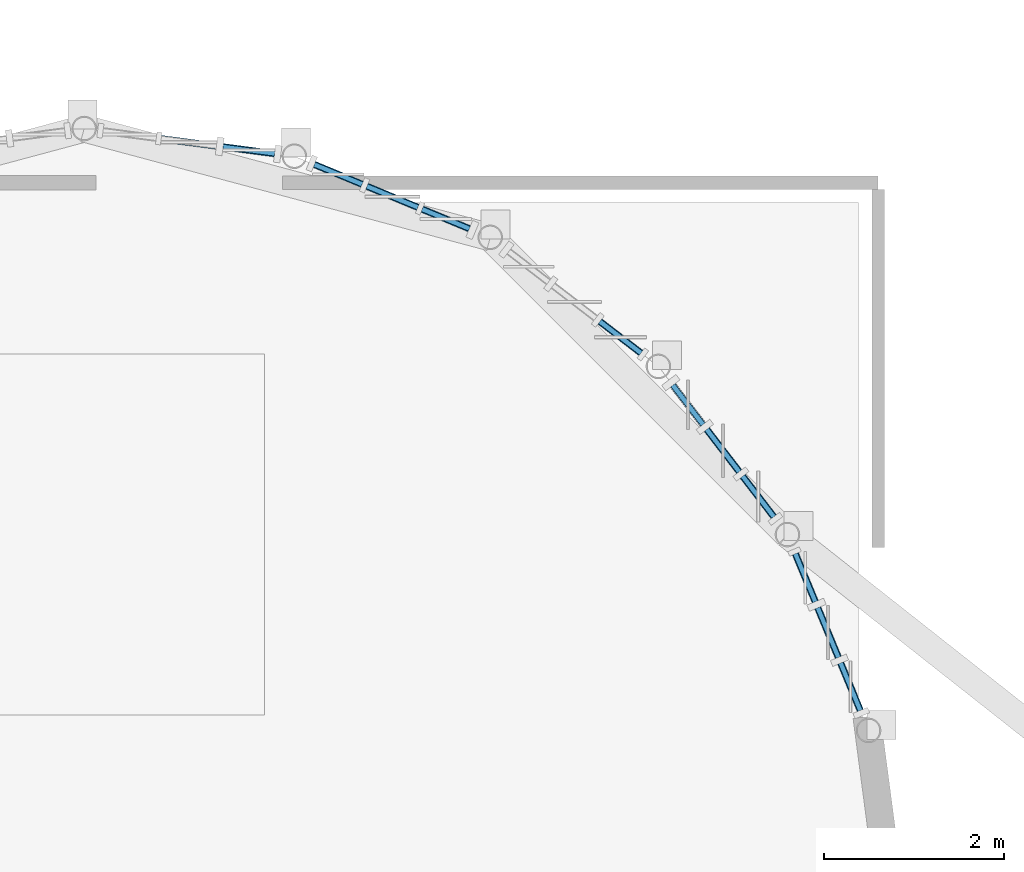
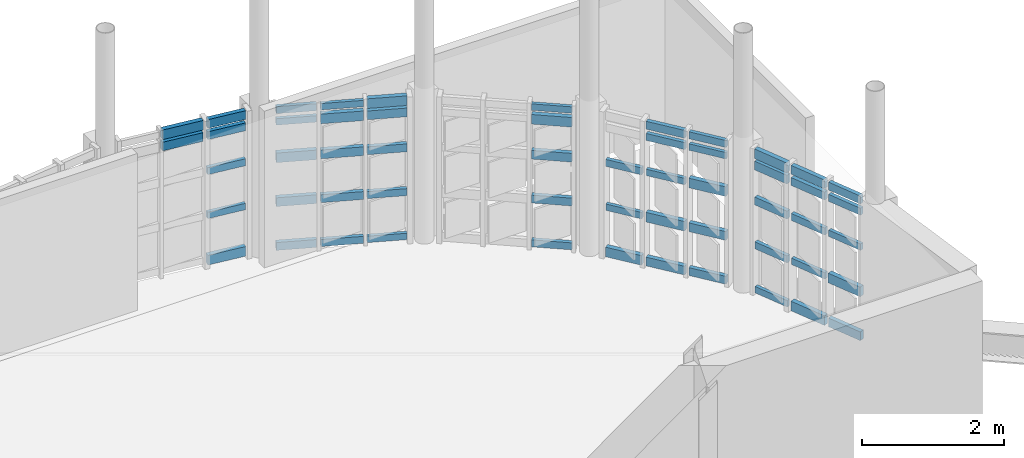
# One storey, part 25 of 44: 55 members, 5 elements without a shape of their own.
"""IFC4 building model written with IfcOpenShell, lengths in metres."""

from ifc_helpers import new_model, si_unit, direction, frame, origin, origin_2d, place, context, subcontext, project, spatial, rectangle, extrude, material, material_profile, profile_set, type_object, element, aggregate, save


model = new_model("IFC4")

# Units and contexts
model_context = context("Model", 3, precision=1e-05, world=origin(), true_north=direction((0.0, 1.0)))
body_context = subcontext(model_context, "Body", "Model", "MODEL_VIEW")
ifc_project = project(units=[si_unit("LENGTHUNIT", "METRE"), si_unit("AREAUNIT", "SQUARE_METRE"), si_unit("VOLUMEUNIT", "CUBIC_METRE"), si_unit("PLANEANGLEUNIT", "RADIAN"), si_unit("MASSUNIT", "GRAM", prefix="KILO")], contexts=[model_context])

# Site, building, storey
site_placement = place(None, origin())
site = spatial("IfcSite", under=ifc_project, at=site_placement, CompositionType="ELEMENT")
building_placement = place(site_placement, origin())
building = spatial("IfcBuilding", under=site, at=building_placement, Name="Serraforn Aerial Cableway Station", CompositionType="ELEMENT")
storey_placement = place(building_placement, frame((0.0, 0.0, 13.800048828125)))
storey = spatial("IfcBuildingStorey", under=building, at=storey_placement, Name="L03", CompositionType="ELEMENT", Elevation=13.800048828125)

# Curtain wall, member
ifc_material_1 = material(Name="Anodised bronze unitised curtain wall")
curtain_wall_type_1 = type_object("IfcCurtainWallType", Name="CW-SYS-26", PredefinedType="USERDEFINED", material=ifc_material_1)
curtain_wall_1_placement = place(storey_placement, origin())
curtain_wall_1 = element("IfcCurtainWall", 1, at=curtain_wall_1_placement, inside=storey, type_object=curtain_wall_type_1, Name="Unitised Curtain Wall CW-AP-L03-R7", ObjectType="UNITISED CURTAIN WALL", PredefinedType="USERDEFINED")
ifc_material_2 = material(Name="Anodised bronze extruded aluminium", Category="aluminium")
ifc_material_profile_1 = material_profile(ifc_material_2, rectangle(XDim=0.054931640625, YDim=0.110107421875, at=origin_2d()), Name="CW TRANSOM 55x110")
ifc_profile_set_1 = profile_set([ifc_material_profile_1], Name="Anodised bronze extruded aluminium")
member_type_1 = type_object("IfcMemberType", Name="CW-TRN-1", PredefinedType="USERDEFINED", material=ifc_profile_set_1)
member_1_placement = place(storey_placement, frame((61.212158203125, 50.721923828125, 0.866943359375), z_axis=(-0.991418374721, 0.130727220827, 0.0), x_axis=(-0.130727220827, -0.991418374721, 0.0)))
member_1 = element("IfcMember", 2, at=member_1_placement, type_object=member_type_1, Name="Curtain Wall Transom CW-AP-L03-R7-T1-2", ObjectType="TRANSOM", PredefinedType="USERDEFINED", context=body_context, shape_type="SweptSolid", body=[
    extrude(rectangle(XDim=0.054931640625, YDim=0.110107421875, at=origin_2d()), origin(), (0.0, 0.0, 1.0), 0.578857421875),
])

# Curtain wall, members
curtain_wall_type_2 = type_object("IfcCurtainWallType", Name="CW-SYS-27", PredefinedType="USERDEFINED", material=ifc_material_1)
curtain_wall_2_placement = place(storey_placement, origin())
curtain_wall_2 = element("IfcCurtainWall", 3, at=curtain_wall_2_placement, inside=storey, type_object=curtain_wall_type_2, Name="Unitised Curtain Wall CW-AP-L03-R8", ObjectType="UNITISED CURTAIN WALL", PredefinedType="USERDEFINED")
member_2_placement = place(storey_placement, frame((63.36962890625, 49.8896484375, 0.10205078125), z_axis=(-0.923864661962, 0.382719331074, 0.0), x_axis=(-0.382719331074, -0.923864661962, 0.0)))
member_2 = element("IfcMember", 4, at=member_2_placement, type_object=member_type_1, Name="Curtain Wall Transom CW-AP-L03-R8-T1-1", ObjectType="TRANSOM", PredefinedType="USERDEFINED", context=body_context, shape_type="SweptSolid", body=[
    extrude(rectangle(XDim=0.054931640625, YDim=0.110107421875, at=origin_2d()), origin(), (0.0, 0.0, 1.0), 0.567138671875),
])
member_3_placement = place(storey_placement, frame((62.798583984375, 50.126220703125, 2.447998046875), z_axis=(-0.923924464059, 0.382574939997, 0.0), x_axis=(-0.382574939997, -0.923924464059, 0.0)))
member_3 = element("IfcMember", 5, at=member_3_placement, type_object=member_type_1, Name="Curtain Wall Transom CW-AP-L03-R8-T2-5", ObjectType="TRANSOM", PredefinedType="USERDEFINED", context=body_context, shape_type="SweptSolid", body=[
    extrude(rectangle(XDim=0.054931640625, YDim=0.110107421875, at=origin_2d()), origin(), (0.0, 0.0, 1.0), 0.612060546875),
])
member_4_placement = place(storey_placement, frame((62.181396484375, 50.3818359375, 2.243896484375), z_axis=(-0.923866691533, 0.382714431757, 0.0), x_axis=(-0.382714431757, -0.923866691533, 0.0)))
member_4 = element("IfcMember", 6, at=member_4_placement, type_object=member_type_1, Name="Curtain Wall Transom CW-AP-L03-R8-T3-4", ObjectType="TRANSOM", PredefinedType="USERDEFINED", context=body_context, shape_type="SweptSolid", body=[
    extrude(rectangle(XDim=0.054931640625, YDim=0.110107421875, at=origin_2d()), origin(), (0.0, 0.0, 1.0), 0.57470703125),
])

# Curtain wall, member
curtain_wall_type_3 = type_object("IfcCurtainWallType", Name="CW-SYS-28", PredefinedType="USERDEFINED", material=ifc_material_1)
curtain_wall_3_placement = place(storey_placement, origin())
curtain_wall_3 = element("IfcCurtainWall", 7, at=curtain_wall_3_placement, inside=storey, type_object=curtain_wall_type_3, Name="Unitised Curtain Wall CW-AP-L03-R9", ObjectType="UNITISED CURTAIN WALL", PredefinedType="USERDEFINED")
member_5_placement = place(storey_placement, frame((65.271728515625, 48.51171875, 2.447998046875), z_axis=(-0.793647301448, 0.608378139732, 0.0), x_axis=(-0.608378139732, -0.793647301448, 0.0)))
member_5 = element("IfcMember", 8, at=member_5_placement, type_object=member_type_1, Name="Curtain Wall Transom CW-AP-L03-R9-T1-5", ObjectType="TRANSOM", PredefinedType="USERDEFINED", context=body_context, shape_type="SweptSolid", body=[
    extrude(rectangle(XDim=0.054931640625, YDim=0.110107421875, at=origin_2d()), origin(), (0.0, 0.0, 1.0), 0.575927734375),
])

# Curtain wall, members
curtain_wall_type_4 = type_object("IfcCurtainWallType", Name="CW-SYS-1", PredefinedType="USERDEFINED", material=ifc_material_1)
curtain_wall_4_placement = place(storey_placement, origin())
curtain_wall_4 = element("IfcCurtainWall", 9, at=curtain_wall_4_placement, inside=storey, type_object=curtain_wall_type_4, Name="Unitised Curtain Wall CW-AP-L03-R10", ObjectType="UNITISED CURTAIN WALL", PredefinedType="USERDEFINED")
member_6_placement = place(storey_placement, frame((66.74365234375, 46.6962890625, 2.243896484375), z_axis=(-0.608693037003, 0.79340581464, 0.0), x_axis=(-0.79340581464, -0.608693037003, 0.0)))
member_6 = element("IfcMember", 10, at=member_6_placement, type_object=member_type_1, Name="Curtain Wall Transom CW-AP-L03-R10-T1-4", ObjectType="TRANSOM", PredefinedType="USERDEFINED", context=body_context, shape_type="SweptSolid", body=[
    extrude(rectangle(XDim=0.054931640625, YDim=0.110107421875, at=origin_2d()), origin(), (0.0, 0.0, 1.0), 0.568359375),
])
member_7_placement = place(storey_placement, frame((66.360595703125, 47.195556640625, 1.6318359375), z_axis=(-0.60871644632, 0.793387854696, 0.0), x_axis=(-0.793387854696, -0.60871644632, 0.0)))
member_7 = element("IfcMember", 11, at=member_7_placement, type_object=member_type_1, Name="Curtain Wall Transom CW-AP-L03-R10-T2-3", ObjectType="TRANSOM", PredefinedType="USERDEFINED", context=body_context, shape_type="SweptSolid", body=[
    extrude(rectangle(XDim=0.054931640625, YDim=0.110107421875, at=origin_2d()), origin(), (0.0, 0.0, 1.0), 0.593505859375),
])
member_8_placement = place(storey_placement, frame((65.958984375, 47.71875, 0.866943359375), z_axis=(-0.608617646917, 0.793463647473, 0.0), x_axis=(-0.793463647473, -0.608617646917, 0.0)))
member_8 = element("IfcMember", 12, at=member_8_placement, type_object=member_type_1, Name="Curtain Wall Transom CW-AP-L03-R10-T3-2", ObjectType="TRANSOM", PredefinedType="USERDEFINED", context=body_context, shape_type="SweptSolid", body=[
    extrude(rectangle(XDim=0.054931640625, YDim=0.110107421875, at=origin_2d()), origin(), (0.0, 0.0, 1.0), 0.55078125),
])

curtain_wall_type_5 = type_object("IfcCurtainWallType", Name="CW-SYS-2", PredefinedType="USERDEFINED", material=ifc_material_1)
curtain_wall_5_placement = place(storey_placement, origin())
curtain_wall_5 = element("IfcCurtainWall", 13, at=curtain_wall_5_placement, inside=storey, type_object=curtain_wall_type_5, Name="Unitised Curtain Wall CW-AP-L03-R11", ObjectType="UNITISED CURTAIN WALL", PredefinedType="USERDEFINED")
member_9_placement = place(storey_placement, frame((67.70166015625, 44.550537109375, 1.6318359375), z_axis=(-0.38281873135, 0.923823478229, 0.0), x_axis=(-0.923823478229, -0.38281873135, 0.0)))
member_9 = element("IfcMember", 14, at=member_9_placement, type_object=member_type_1, Name="Curtain Wall Transom CW-AP-L03-R11-T1-3", ObjectType="TRANSOM", PredefinedType="USERDEFINED", context=body_context, shape_type="SweptSolid", body=[
    extrude(rectangle(XDim=0.054931640625, YDim=0.110107421875, at=origin_2d()), origin(), (0.0, 0.0, 1.0), 0.569580078125),
])
member_10_placement = place(storey_placement, frame((67.45849609375, 45.1376953125, 0.866943359375), z_axis=(-0.382640634603, 0.923897258763, 0.0), x_axis=(-0.923897258763, -0.382640634603, 0.0)))
member_10 = element("IfcMember", 15, at=member_10_placement, type_object=member_type_1, Name="Curtain Wall Transom CW-AP-L03-R11-T2-2", ObjectType="TRANSOM", PredefinedType="USERDEFINED", context=body_context, shape_type="SweptSolid", body=[
    extrude(rectangle(XDim=0.054931640625, YDim=0.110107421875, at=origin_2d()), origin(), (0.0, 0.0, 1.0), 0.59716796875),
])
member_11_placement = place(storey_placement, frame((67.202880859375, 45.7548828125, 0.10205078125), z_axis=(-0.382812533078, 0.923826046677, 0.0), x_axis=(-0.923826046677, -0.382812533078, 0.0)))
member_11 = element("IfcMember", 16, at=member_11_placement, type_object=member_type_1, Name="Curtain Wall Transom CW-AP-L03-R11-T3-1", ObjectType="TRANSOM", PredefinedType="USERDEFINED", context=body_context, shape_type="SweptSolid", body=[
    extrude(rectangle(XDim=0.054931640625, YDim=0.110107421875, at=origin_2d()), origin(), (0.0, 0.0, 1.0), 0.5771484375),
])

# Member
ifc_material_profile_2 = material_profile(ifc_material_2, rectangle(XDim=0.06005859375, YDim=0.1201171875, at=origin_2d()), Name="CW TRANSOM 60x120")
ifc_profile_set_2 = profile_set([ifc_material_profile_2], Name="Anodised bronze extruded aluminium")
member_type_2 = type_object("IfcMemberType", Name="CW-TRN-2", PredefinedType="USERDEFINED", material=ifc_profile_set_2)
member_12_placement = place(storey_placement, frame((61.212158203125, 50.721923828125, 1.6318359375), z_axis=(-0.991418374721, 0.130727220827, 0.0), x_axis=(-0.130727220827, -0.991418374721, 0.0)))
member_12 = element("IfcMember", 17, at=member_12_placement, type_object=member_type_2, Name="Curtain Wall Transom CW-AP-L03-R7-T1-3", ObjectType="TRANSOM", PredefinedType="USERDEFINED", context=body_context, shape_type="SweptSolid", body=[
    extrude(rectangle(XDim=0.06005859375, YDim=0.1201171875, at=origin_2d()), origin(), (0.0, 0.0, 1.0), 0.578857421875),
])

member_13_placement = place(storey_placement, frame((63.36962890625, 49.8896484375, 0.866943359375), z_axis=(-0.923864661962, 0.382719331074, 0.0), x_axis=(-0.382719331074, -0.923864661962, 0.0)))
member_13 = element("IfcMember", 18, at=member_13_placement, type_object=member_type_2, Name="Curtain Wall Transom CW-AP-L03-R8-T1-2", ObjectType="TRANSOM", PredefinedType="USERDEFINED", context=body_context, shape_type="SweptSolid", body=[
    extrude(rectangle(XDim=0.06005859375, YDim=0.1201171875, at=origin_2d()), origin(), (0.0, 0.0, 1.0), 0.567138671875),
])

member_14_placement = place(storey_placement, frame((62.798583984375, 50.126220703125, 0.10205078125), z_axis=(-0.923924464059, 0.382574939997, 0.0), x_axis=(-0.382574939997, -0.923924464059, 0.0)))
member_14 = element("IfcMember", 19, at=member_14_placement, type_object=member_type_2, Name="Curtain Wall Transom CW-AP-L03-R8-T2-1", ObjectType="TRANSOM", PredefinedType="USERDEFINED", context=body_context, shape_type="SweptSolid", body=[
    extrude(rectangle(XDim=0.06005859375, YDim=0.1201171875, at=origin_2d()), origin(), (0.0, 0.0, 1.0), 0.612060546875),
])

member_15_placement = place(storey_placement, frame((62.181396484375, 50.3818359375, 2.447998046875), z_axis=(-0.923866691533, 0.382714431757, 0.0), x_axis=(-0.382714431757, -0.923866691533, 0.0)))
member_15 = element("IfcMember", 20, at=member_15_placement, type_object=member_type_2, Name="Curtain Wall Transom CW-AP-L03-R8-T3-5", ObjectType="TRANSOM", PredefinedType="USERDEFINED", context=body_context, shape_type="SweptSolid", body=[
    extrude(rectangle(XDim=0.06005859375, YDim=0.1201171875, at=origin_2d()), origin(), (0.0, 0.0, 1.0), 0.57470703125),
])

member_16_placement = place(storey_placement, frame((65.271728515625, 48.51171875, 0.10205078125), z_axis=(-0.793647301448, 0.608378139732, 0.0), x_axis=(-0.608378139732, -0.793647301448, 0.0)))
member_16 = element("IfcMember", 21, at=member_16_placement, type_object=member_type_2, Name="Curtain Wall Transom CW-AP-L03-R9-T1-1", ObjectType="TRANSOM", PredefinedType="USERDEFINED", context=body_context, shape_type="SweptSolid", body=[
    extrude(rectangle(XDim=0.06005859375, YDim=0.1201171875, at=origin_2d()), origin(), (0.0, 0.0, 1.0), 0.575927734375),
])

member_17_placement = place(storey_placement, frame((66.74365234375, 46.6962890625, 2.447998046875), z_axis=(-0.608693037003, 0.79340581464, 0.0), x_axis=(-0.79340581464, -0.608693037003, 0.0)))
member_17 = element("IfcMember", 22, at=member_17_placement, type_object=member_type_2, Name="Curtain Wall Transom CW-AP-L03-R10-T1-5", ObjectType="TRANSOM", PredefinedType="USERDEFINED", context=body_context, shape_type="SweptSolid", body=[
    extrude(rectangle(XDim=0.06005859375, YDim=0.1201171875, at=origin_2d()), origin(), (0.0, 0.0, 1.0), 0.568359375),
])

member_18_placement = place(storey_placement, frame((66.360595703125, 47.195556640625, 2.243896484375), z_axis=(-0.60871644632, 0.793387854696, 0.0), x_axis=(-0.793387854696, -0.60871644632, 0.0)))
member_18 = element("IfcMember", 23, at=member_18_placement, type_object=member_type_2, Name="Curtain Wall Transom CW-AP-L03-R10-T2-4", ObjectType="TRANSOM", PredefinedType="USERDEFINED", context=body_context, shape_type="SweptSolid", body=[
    extrude(rectangle(XDim=0.06005859375, YDim=0.1201171875, at=origin_2d()), origin(), (0.0, 0.0, 1.0), 0.593505859375),
])

member_19_placement = place(storey_placement, frame((65.958984375, 47.71875, 1.6318359375), z_axis=(-0.608617646917, 0.793463647473, 0.0), x_axis=(-0.793463647473, -0.608617646917, 0.0)))
member_19 = element("IfcMember", 24, at=member_19_placement, type_object=member_type_2, Name="Curtain Wall Transom CW-AP-L03-R10-T3-3", ObjectType="TRANSOM", PredefinedType="USERDEFINED", context=body_context, shape_type="SweptSolid", body=[
    extrude(rectangle(XDim=0.06005859375, YDim=0.1201171875, at=origin_2d()), origin(), (0.0, 0.0, 1.0), 0.55078125),
])

member_20_placement = place(storey_placement, frame((67.70166015625, 44.550537109375, 2.243896484375), z_axis=(-0.38281873135, 0.923823478229, 0.0), x_axis=(-0.923823478229, -0.38281873135, 0.0)))
member_20 = element("IfcMember", 25, at=member_20_placement, type_object=member_type_2, Name="Curtain Wall Transom CW-AP-L03-R11-T1-4", ObjectType="TRANSOM", PredefinedType="USERDEFINED", context=body_context, shape_type="SweptSolid", body=[
    extrude(rectangle(XDim=0.06005859375, YDim=0.1201171875, at=origin_2d()), origin(), (0.0, 0.0, 1.0), 0.569580078125),
])

member_21_placement = place(storey_placement, frame((67.45849609375, 45.1376953125, 1.6318359375), z_axis=(-0.382640634603, 0.923897258763, 0.0), x_axis=(-0.923897258763, -0.382640634603, 0.0)))
member_21 = element("IfcMember", 26, at=member_21_placement, type_object=member_type_2, Name="Curtain Wall Transom CW-AP-L03-R11-T2-3", ObjectType="TRANSOM", PredefinedType="USERDEFINED", context=body_context, shape_type="SweptSolid", body=[
    extrude(rectangle(XDim=0.06005859375, YDim=0.1201171875, at=origin_2d()), origin(), (0.0, 0.0, 1.0), 0.59716796875),
])

member_22_placement = place(storey_placement, frame((67.202880859375, 45.7548828125, 0.866943359375), z_axis=(-0.382812533078, 0.923826046677, 0.0), x_axis=(-0.923826046677, -0.382812533078, 0.0)))
member_22 = element("IfcMember", 27, at=member_22_placement, type_object=member_type_2, Name="Curtain Wall Transom CW-AP-L03-R11-T3-2", ObjectType="TRANSOM", PredefinedType="USERDEFINED", context=body_context, shape_type="SweptSolid", body=[
    extrude(rectangle(XDim=0.06005859375, YDim=0.1201171875, at=origin_2d()), origin(), (0.0, 0.0, 1.0), 0.5771484375),
])

ifc_material_profile_3 = material_profile(ifc_material_2, rectangle(XDim=0.06494140625, YDim=0.135009765625, at=origin_2d()), Name="CW TRANSOM 65x135")
ifc_profile_set_3 = profile_set([ifc_material_profile_3], Name="Anodised bronze extruded aluminium")
member_type_3 = type_object("IfcMemberType", Name="CW-TRN-3", PredefinedType="USERDEFINED", material=ifc_profile_set_3)
member_23_placement = place(storey_placement, frame((61.212158203125, 50.721923828125, 2.243896484375), z_axis=(-0.991418374721, 0.130727220827, 0.0), x_axis=(-0.130727220827, -0.991418374721, 0.0)))
member_23 = element("IfcMember", 28, at=member_23_placement, type_object=member_type_3, Name="Curtain Wall Transom CW-AP-L03-R7-T1-4", ObjectType="TRANSOM", PredefinedType="USERDEFINED", context=body_context, shape_type="SweptSolid", body=[
    extrude(rectangle(XDim=0.06494140625, YDim=0.135009765625, at=origin_2d()), origin(), (0.0, 0.0, 1.0), 0.578857421875),
])

member_24_placement = place(storey_placement, frame((63.36962890625, 49.8896484375, 1.6318359375), z_axis=(-0.923864661962, 0.382719331074, 0.0), x_axis=(-0.382719331074, -0.923864661962, 0.0)))
member_24 = element("IfcMember", 29, at=member_24_placement, type_object=member_type_3, Name="Curtain Wall Transom CW-AP-L03-R8-T1-3", ObjectType="TRANSOM", PredefinedType="USERDEFINED", context=body_context, shape_type="SweptSolid", body=[
    extrude(rectangle(XDim=0.06494140625, YDim=0.135009765625, at=origin_2d()), origin(), (0.0, 0.0, 1.0), 0.567138671875),
])

member_25_placement = place(storey_placement, frame((62.798583984375, 50.126220703125, 0.866943359375), z_axis=(-0.923924464059, 0.382574939997, 0.0), x_axis=(-0.382574939997, -0.923924464059, 0.0)))
member_25 = element("IfcMember", 30, at=member_25_placement, type_object=member_type_3, Name="Curtain Wall Transom CW-AP-L03-R8-T2-2", ObjectType="TRANSOM", PredefinedType="USERDEFINED", context=body_context, shape_type="SweptSolid", body=[
    extrude(rectangle(XDim=0.06494140625, YDim=0.135009765625, at=origin_2d()), origin(), (0.0, 0.0, 1.0), 0.612060546875),
])

member_26_placement = place(storey_placement, frame((62.181396484375, 50.3818359375, 0.10205078125), z_axis=(-0.923866691533, 0.382714431757, 0.0), x_axis=(-0.382714431757, -0.923866691533, 0.0)))
member_26 = element("IfcMember", 31, at=member_26_placement, type_object=member_type_3, Name="Curtain Wall Transom CW-AP-L03-R8-T3-1", ObjectType="TRANSOM", PredefinedType="USERDEFINED", context=body_context, shape_type="SweptSolid", body=[
    extrude(rectangle(XDim=0.06494140625, YDim=0.135009765625, at=origin_2d()), origin(), (0.0, 0.0, 1.0), 0.57470703125),
])

member_27_placement = place(storey_placement, frame((65.271728515625, 48.51171875, 0.866943359375), z_axis=(-0.793647301448, 0.608378139732, 0.0), x_axis=(-0.608378139732, -0.793647301448, 0.0)))
member_27 = element("IfcMember", 32, at=member_27_placement, type_object=member_type_3, Name="Curtain Wall Transom CW-AP-L03-R9-T1-2", ObjectType="TRANSOM", PredefinedType="USERDEFINED", context=body_context, shape_type="SweptSolid", body=[
    extrude(rectangle(XDim=0.06494140625, YDim=0.135009765625, at=origin_2d()), origin(), (0.0, 0.0, 1.0), 0.575927734375),
])

member_28_placement = place(storey_placement, frame((66.74365234375, 46.6962890625, 0.10205078125), z_axis=(-0.608693037003, 0.79340581464, 0.0), x_axis=(-0.79340581464, -0.608693037003, 0.0)))
member_28 = element("IfcMember", 33, at=member_28_placement, type_object=member_type_3, Name="Curtain Wall Transom CW-AP-L03-R10-T1-1", ObjectType="TRANSOM", PredefinedType="USERDEFINED", context=body_context, shape_type="SweptSolid", body=[
    extrude(rectangle(XDim=0.06494140625, YDim=0.135009765625, at=origin_2d()), origin(), (0.0, 0.0, 1.0), 0.568359375),
])

member_29_placement = place(storey_placement, frame((66.360595703125, 47.195556640625, 2.447998046875), z_axis=(-0.60871644632, 0.793387854696, 0.0), x_axis=(-0.793387854696, -0.60871644632, 0.0)))
member_29 = element("IfcMember", 34, at=member_29_placement, type_object=member_type_3, Name="Curtain Wall Transom CW-AP-L03-R10-T2-5", ObjectType="TRANSOM", PredefinedType="USERDEFINED", context=body_context, shape_type="SweptSolid", body=[
    extrude(rectangle(XDim=0.06494140625, YDim=0.135009765625, at=origin_2d()), origin(), (0.0, 0.0, 1.0), 0.593505859375),
])

member_30_placement = place(storey_placement, frame((67.70166015625, 44.550537109375, 2.447998046875), z_axis=(-0.38281873135, 0.923823478229, 0.0), x_axis=(-0.923823478229, -0.38281873135, 0.0)))
member_30 = element("IfcMember", 35, at=member_30_placement, type_object=member_type_3, Name="Curtain Wall Transom CW-AP-L03-R11-T1-5", ObjectType="TRANSOM", PredefinedType="USERDEFINED", context=body_context, shape_type="SweptSolid", body=[
    extrude(rectangle(XDim=0.06494140625, YDim=0.135009765625, at=origin_2d()), origin(), (0.0, 0.0, 1.0), 0.569580078125),
])

member_31_placement = place(storey_placement, frame((67.45849609375, 45.1376953125, 2.243896484375), z_axis=(-0.382640634603, 0.923897258763, 0.0), x_axis=(-0.923897258763, -0.382640634603, 0.0)))
member_31 = element("IfcMember", 36, at=member_31_placement, type_object=member_type_3, Name="Curtain Wall Transom CW-AP-L03-R11-T2-4", ObjectType="TRANSOM", PredefinedType="USERDEFINED", context=body_context, shape_type="SweptSolid", body=[
    extrude(rectangle(XDim=0.06494140625, YDim=0.135009765625, at=origin_2d()), origin(), (0.0, 0.0, 1.0), 0.59716796875),
])

member_32_placement = place(storey_placement, frame((67.202880859375, 45.7548828125, 1.6318359375), z_axis=(-0.382812533078, 0.923826046677, 0.0), x_axis=(-0.923826046677, -0.382812533078, 0.0)))
member_32 = element("IfcMember", 37, at=member_32_placement, type_object=member_type_3, Name="Curtain Wall Transom CW-AP-L03-R11-T3-3", ObjectType="TRANSOM", PredefinedType="USERDEFINED", context=body_context, shape_type="SweptSolid", body=[
    extrude(rectangle(XDim=0.06494140625, YDim=0.135009765625, at=origin_2d()), origin(), (0.0, 0.0, 1.0), 0.5771484375),
])

ifc_material_profile_4 = material_profile(ifc_material_2, rectangle(XDim=0.070068359375, YDim=0.14990234375, at=origin_2d()), Name="CW TRANSOM 70x150")
ifc_profile_set_4 = profile_set([ifc_material_profile_4], Name="Anodised bronze extruded aluminium")
member_type_4 = type_object("IfcMemberType", Name="CW-TRN-4", PredefinedType="USERDEFINED", material=ifc_profile_set_4)
member_33_placement = place(storey_placement, frame((61.212158203125, 50.721923828125, 2.447998046875), z_axis=(-0.991418374721, 0.130727220827, 0.0), x_axis=(-0.130727220827, -0.991418374721, 0.0)))
member_33 = element("IfcMember", 38, at=member_33_placement, type_object=member_type_4, Name="Curtain Wall Transom CW-AP-L03-R7-T1-5", ObjectType="TRANSOM", PredefinedType="USERDEFINED", context=body_context, shape_type="SweptSolid", body=[
    extrude(rectangle(XDim=0.070068359375, YDim=0.14990234375, at=origin_2d()), origin(), (0.0, 0.0, 1.0), 0.578857421875),
])

member_34_placement = place(storey_placement, frame((60.56787109375, 50.806640625, 2.243896484375), z_axis=(-0.991408779426, 0.13079996971, 0.0), x_axis=(-0.13079996971, -0.991408779426, 0.0)))
member_34 = element("IfcMember", 39, at=member_34_placement, type_object=member_type_4, Name="Curtain Wall Transom CW-AP-L03-R7-T2-4", ObjectType="TRANSOM", PredefinedType="USERDEFINED", context=body_context, shape_type="SweptSolid", body=[
    extrude(rectangle(XDim=0.070068359375, YDim=0.14990234375, at=origin_2d()), origin(), (0.0, 0.0, 1.0), 0.62158203125),
])

member_35_placement = place(storey_placement, frame((63.36962890625, 49.8896484375, 2.243896484375), z_axis=(-0.923864661962, 0.382719331074, 0.0), x_axis=(-0.382719331074, -0.923864661962, 0.0)))
member_35 = element("IfcMember", 40, at=member_35_placement, type_object=member_type_4, Name="Curtain Wall Transom CW-AP-L03-R8-T1-4", ObjectType="TRANSOM", PredefinedType="USERDEFINED", context=body_context, shape_type="SweptSolid", body=[
    extrude(rectangle(XDim=0.070068359375, YDim=0.14990234375, at=origin_2d()), origin(), (0.0, 0.0, 1.0), 0.567138671875),
])

member_36_placement = place(storey_placement, frame((62.798583984375, 50.126220703125, 1.6318359375), z_axis=(-0.923924464059, 0.382574939997, 0.0), x_axis=(-0.382574939997, -0.923924464059, 0.0)))
member_36 = element("IfcMember", 41, at=member_36_placement, type_object=member_type_4, Name="Curtain Wall Transom CW-AP-L03-R8-T2-3", ObjectType="TRANSOM", PredefinedType="USERDEFINED", context=body_context, shape_type="SweptSolid", body=[
    extrude(rectangle(XDim=0.070068359375, YDim=0.14990234375, at=origin_2d()), origin(), (0.0, 0.0, 1.0), 0.612060546875),
])

member_37_placement = place(storey_placement, frame((62.181396484375, 50.3818359375, 0.866943359375), z_axis=(-0.923866691533, 0.382714431757, 0.0), x_axis=(-0.382714431757, -0.923866691533, 0.0)))
member_37 = element("IfcMember", 42, at=member_37_placement, type_object=member_type_4, Name="Curtain Wall Transom CW-AP-L03-R8-T3-2", ObjectType="TRANSOM", PredefinedType="USERDEFINED", context=body_context, shape_type="SweptSolid", body=[
    extrude(rectangle(XDim=0.070068359375, YDim=0.14990234375, at=origin_2d()), origin(), (0.0, 0.0, 1.0), 0.57470703125),
])

member_38_placement = place(storey_placement, frame((65.271728515625, 48.51171875, 1.6318359375), z_axis=(-0.793647301448, 0.608378139732, 0.0), x_axis=(-0.608378139732, -0.793647301448, 0.0)))
member_38 = element("IfcMember", 43, at=member_38_placement, type_object=member_type_4, Name="Curtain Wall Transom CW-AP-L03-R9-T1-3", ObjectType="TRANSOM", PredefinedType="USERDEFINED", context=body_context, shape_type="SweptSolid", body=[
    extrude(rectangle(XDim=0.070068359375, YDim=0.14990234375, at=origin_2d()), origin(), (0.0, 0.0, 1.0), 0.575927734375),
])

member_39_placement = place(storey_placement, frame((66.74365234375, 46.6962890625, 0.866943359375), z_axis=(-0.608693037003, 0.79340581464, 0.0), x_axis=(-0.79340581464, -0.608693037003, 0.0)))
member_39 = element("IfcMember", 44, at=member_39_placement, type_object=member_type_4, Name="Curtain Wall Transom CW-AP-L03-R10-T1-2", ObjectType="TRANSOM", PredefinedType="USERDEFINED", context=body_context, shape_type="SweptSolid", body=[
    extrude(rectangle(XDim=0.070068359375, YDim=0.14990234375, at=origin_2d()), origin(), (0.0, 0.0, 1.0), 0.568359375),
])

member_40_placement = place(storey_placement, frame((66.360595703125, 47.195556640625, 0.10205078125), z_axis=(-0.60871644632, 0.793387854696, 0.0), x_axis=(-0.793387854696, -0.60871644632, 0.0)))
member_40 = element("IfcMember", 45, at=member_40_placement, type_object=member_type_4, Name="Curtain Wall Transom CW-AP-L03-R10-T2-1", ObjectType="TRANSOM", PredefinedType="USERDEFINED", context=body_context, shape_type="SweptSolid", body=[
    extrude(rectangle(XDim=0.070068359375, YDim=0.14990234375, at=origin_2d()), origin(), (0.0, 0.0, 1.0), 0.593505859375),
])

member_41_placement = place(storey_placement, frame((67.70166015625, 44.550537109375, 0.10205078125), z_axis=(-0.38281873135, 0.923823478229, 0.0), x_axis=(-0.923823478229, -0.38281873135, 0.0)))
member_41 = element("IfcMember", 46, at=member_41_placement, type_object=member_type_4, Name="Curtain Wall Transom CW-AP-L03-R11-T1-1", ObjectType="TRANSOM", PredefinedType="USERDEFINED", context=body_context, shape_type="SweptSolid", body=[
    extrude(rectangle(XDim=0.070068359375, YDim=0.14990234375, at=origin_2d()), origin(), (0.0, 0.0, 1.0), 0.569580078125),
])

member_42_placement = place(storey_placement, frame((67.45849609375, 45.1376953125, 2.447998046875), z_axis=(-0.382640634603, 0.923897258763, 0.0), x_axis=(-0.923897258763, -0.382640634603, 0.0)))
member_42 = element("IfcMember", 47, at=member_42_placement, type_object=member_type_4, Name="Curtain Wall Transom CW-AP-L03-R11-T2-5", ObjectType="TRANSOM", PredefinedType="USERDEFINED", context=body_context, shape_type="SweptSolid", body=[
    extrude(rectangle(XDim=0.070068359375, YDim=0.14990234375, at=origin_2d()), origin(), (0.0, 0.0, 1.0), 0.59716796875),
])

member_43_placement = place(storey_placement, frame((67.202880859375, 45.7548828125, 2.243896484375), z_axis=(-0.382812533078, 0.923826046677, 0.0), x_axis=(-0.923826046677, -0.382812533078, 0.0)))
member_43 = element("IfcMember", 48, at=member_43_placement, type_object=member_type_4, Name="Curtain Wall Transom CW-AP-L03-R11-T3-4", ObjectType="TRANSOM", PredefinedType="USERDEFINED", context=body_context, shape_type="SweptSolid", body=[
    extrude(rectangle(XDim=0.070068359375, YDim=0.14990234375, at=origin_2d()), origin(), (0.0, 0.0, 1.0), 0.5771484375),
])

ifc_material_profile_5 = material_profile(ifc_material_2, rectangle(XDim=0.074951171875, YDim=0.1650390625, at=origin_2d()), Name="CW TRANSOM 75x165")
ifc_profile_set_5 = profile_set([ifc_material_profile_5], Name="Anodised bronze extruded aluminium")
member_type_5 = type_object("IfcMemberType", Name="CW-TRN-5", PredefinedType="USERDEFINED", material=ifc_profile_set_5)
member_44_placement = place(storey_placement, frame((61.212158203125, 50.721923828125, 0.10205078125), z_axis=(-0.991418374721, 0.130727220827, 0.0), x_axis=(-0.130727220827, -0.991418374721, 0.0)))
member_44 = element("IfcMember", 49, at=member_44_placement, type_object=member_type_5, Name="Curtain Wall Transom CW-AP-L03-R7-T1-1", ObjectType="TRANSOM", PredefinedType="USERDEFINED", context=body_context, shape_type="SweptSolid", body=[
    extrude(rectangle(XDim=0.074951171875, YDim=0.1650390625, at=origin_2d()), origin(), (0.0, 0.0, 1.0), 0.578857421875),
])

member_45_placement = place(storey_placement, frame((60.56787109375, 50.806640625, 2.447998046875), z_axis=(-0.991408779426, 0.13079996971, 0.0), x_axis=(-0.13079996971, -0.991408779426, 0.0)))
member_45 = element("IfcMember", 50, at=member_45_placement, type_object=member_type_5, Name="Curtain Wall Transom CW-AP-L03-R7-T2-5", ObjectType="TRANSOM", PredefinedType="USERDEFINED", context=body_context, shape_type="SweptSolid", body=[
    extrude(rectangle(XDim=0.074951171875, YDim=0.1650390625, at=origin_2d()), origin(), (0.0, 0.0, 1.0), 0.62158203125),
])

aggregate(curtain_wall_1, [member_44, member_1, member_12, member_23, member_33, member_34, member_45])

member_46_placement = place(storey_placement, frame((63.36962890625, 49.8896484375, 2.447998046875), z_axis=(-0.923864661962, 0.382719331074, 0.0), x_axis=(-0.382719331074, -0.923864661962, 0.0)))
member_46 = element("IfcMember", 51, at=member_46_placement, type_object=member_type_5, Name="Curtain Wall Transom CW-AP-L03-R8-T1-5", ObjectType="TRANSOM", PredefinedType="USERDEFINED", context=body_context, shape_type="SweptSolid", body=[
    extrude(rectangle(XDim=0.074951171875, YDim=0.1650390625, at=origin_2d()), origin(), (0.0, 0.0, 1.0), 0.567138671875),
])

member_47_placement = place(storey_placement, frame((62.798583984375, 50.126220703125, 2.243896484375), z_axis=(-0.923924464059, 0.382574939997, 0.0), x_axis=(-0.382574939997, -0.923924464059, 0.0)))
member_47 = element("IfcMember", 52, at=member_47_placement, type_object=member_type_5, Name="Curtain Wall Transom CW-AP-L03-R8-T2-4", ObjectType="TRANSOM", PredefinedType="USERDEFINED", context=body_context, shape_type="SweptSolid", body=[
    extrude(rectangle(XDim=0.074951171875, YDim=0.1650390625, at=origin_2d()), origin(), (0.0, 0.0, 1.0), 0.612060546875),
])

member_48_placement = place(storey_placement, frame((62.181396484375, 50.3818359375, 1.6318359375), z_axis=(-0.923866691533, 0.382714431757, 0.0), x_axis=(-0.382714431757, -0.923866691533, 0.0)))
member_48 = element("IfcMember", 53, at=member_48_placement, type_object=member_type_5, Name="Curtain Wall Transom CW-AP-L03-R8-T3-3", ObjectType="TRANSOM", PredefinedType="USERDEFINED", context=body_context, shape_type="SweptSolid", body=[
    extrude(rectangle(XDim=0.074951171875, YDim=0.1650390625, at=origin_2d()), origin(), (0.0, 0.0, 1.0), 0.57470703125),
])

aggregate(curtain_wall_2, [member_2, member_13, member_24, member_35, member_46, member_14, member_25, member_36, member_47, member_3, member_26, member_37, member_48, member_4, member_15])

member_49_placement = place(storey_placement, frame((65.271728515625, 48.51171875, 2.243896484375), z_axis=(-0.793647301448, 0.608378139732, 0.0), x_axis=(-0.608378139732, -0.793647301448, 0.0)))
member_49 = element("IfcMember", 54, at=member_49_placement, type_object=member_type_5, Name="Curtain Wall Transom CW-AP-L03-R9-T1-4", ObjectType="TRANSOM", PredefinedType="USERDEFINED", context=body_context, shape_type="SweptSolid", body=[
    extrude(rectangle(XDim=0.074951171875, YDim=0.1650390625, at=origin_2d()), origin(), (0.0, 0.0, 1.0), 0.575927734375),
])

aggregate(curtain_wall_3, [member_16, member_27, member_38, member_49, member_5])

member_50_placement = place(storey_placement, frame((66.74365234375, 46.6962890625, 1.6318359375), z_axis=(-0.608693037003, 0.79340581464, 0.0), x_axis=(-0.79340581464, -0.608693037003, 0.0)))
member_50 = element("IfcMember", 55, at=member_50_placement, type_object=member_type_5, Name="Curtain Wall Transom CW-AP-L03-R10-T1-3", ObjectType="TRANSOM", PredefinedType="USERDEFINED", context=body_context, shape_type="SweptSolid", body=[
    extrude(rectangle(XDim=0.074951171875, YDim=0.1650390625, at=origin_2d()), origin(), (0.0, 0.0, 1.0), 0.568359375),
])

member_51_placement = place(storey_placement, frame((66.360595703125, 47.195556640625, 0.866943359375), z_axis=(-0.60871644632, 0.793387854696, 0.0), x_axis=(-0.793387854696, -0.60871644632, 0.0)))
member_51 = element("IfcMember", 56, at=member_51_placement, type_object=member_type_5, Name="Curtain Wall Transom CW-AP-L03-R10-T2-2", ObjectType="TRANSOM", PredefinedType="USERDEFINED", context=body_context, shape_type="SweptSolid", body=[
    extrude(rectangle(XDim=0.074951171875, YDim=0.1650390625, at=origin_2d()), origin(), (0.0, 0.0, 1.0), 0.593505859375),
])

member_52_placement = place(storey_placement, frame((65.958984375, 47.71875, 0.10205078125), z_axis=(-0.608617646917, 0.793463647473, 0.0), x_axis=(-0.793463647473, -0.608617646917, 0.0)))
member_52 = element("IfcMember", 57, at=member_52_placement, type_object=member_type_5, Name="Curtain Wall Transom CW-AP-L03-R10-T3-1", ObjectType="TRANSOM", PredefinedType="USERDEFINED", context=body_context, shape_type="SweptSolid", body=[
    extrude(rectangle(XDim=0.074951171875, YDim=0.1650390625, at=origin_2d()), origin(), (0.0, 0.0, 1.0), 0.55078125),
])

aggregate(curtain_wall_4, [member_28, member_39, member_50, member_6, member_17, member_40, member_51, member_7, member_18, member_29, member_52, member_8, member_19])

member_53_placement = place(storey_placement, frame((67.70166015625, 44.550537109375, 0.866943359375), z_axis=(-0.38281873135, 0.923823478229, 0.0), x_axis=(-0.923823478229, -0.38281873135, 0.0)))
member_53 = element("IfcMember", 58, at=member_53_placement, type_object=member_type_5, Name="Curtain Wall Transom CW-AP-L03-R11-T1-2", ObjectType="TRANSOM", PredefinedType="USERDEFINED", context=body_context, shape_type="SweptSolid", body=[
    extrude(rectangle(XDim=0.074951171875, YDim=0.1650390625, at=origin_2d()), origin(), (0.0, 0.0, 1.0), 0.569580078125),
])

member_54_placement = place(storey_placement, frame((67.45849609375, 45.1376953125, 0.10205078125), z_axis=(-0.382640634603, 0.923897258763, 0.0), x_axis=(-0.923897258763, -0.382640634603, 0.0)))
member_54 = element("IfcMember", 59, at=member_54_placement, type_object=member_type_5, Name="Curtain Wall Transom CW-AP-L03-R11-T2-1", ObjectType="TRANSOM", PredefinedType="USERDEFINED", context=body_context, shape_type="SweptSolid", body=[
    extrude(rectangle(XDim=0.074951171875, YDim=0.1650390625, at=origin_2d()), origin(), (0.0, 0.0, 1.0), 0.59716796875),
])

member_55_placement = place(storey_placement, frame((67.202880859375, 45.7548828125, 2.447998046875), z_axis=(-0.382812533078, 0.923826046677, 0.0), x_axis=(-0.923826046677, -0.382812533078, 0.0)))
member_55 = element("IfcMember", 60, at=member_55_placement, type_object=member_type_5, Name="Curtain Wall Transom CW-AP-L03-R11-T3-5", ObjectType="TRANSOM", PredefinedType="USERDEFINED", context=body_context, shape_type="SweptSolid", body=[
    extrude(rectangle(XDim=0.074951171875, YDim=0.1650390625, at=origin_2d()), origin(), (0.0, 0.0, 1.0), 0.5771484375),
])

aggregate(curtain_wall_5, [member_41, member_53, member_9, member_20, member_30, member_54, member_10, member_21, member_31, member_42, member_11, member_22, member_32, member_43, member_55])

save(model, "model.ifc")
